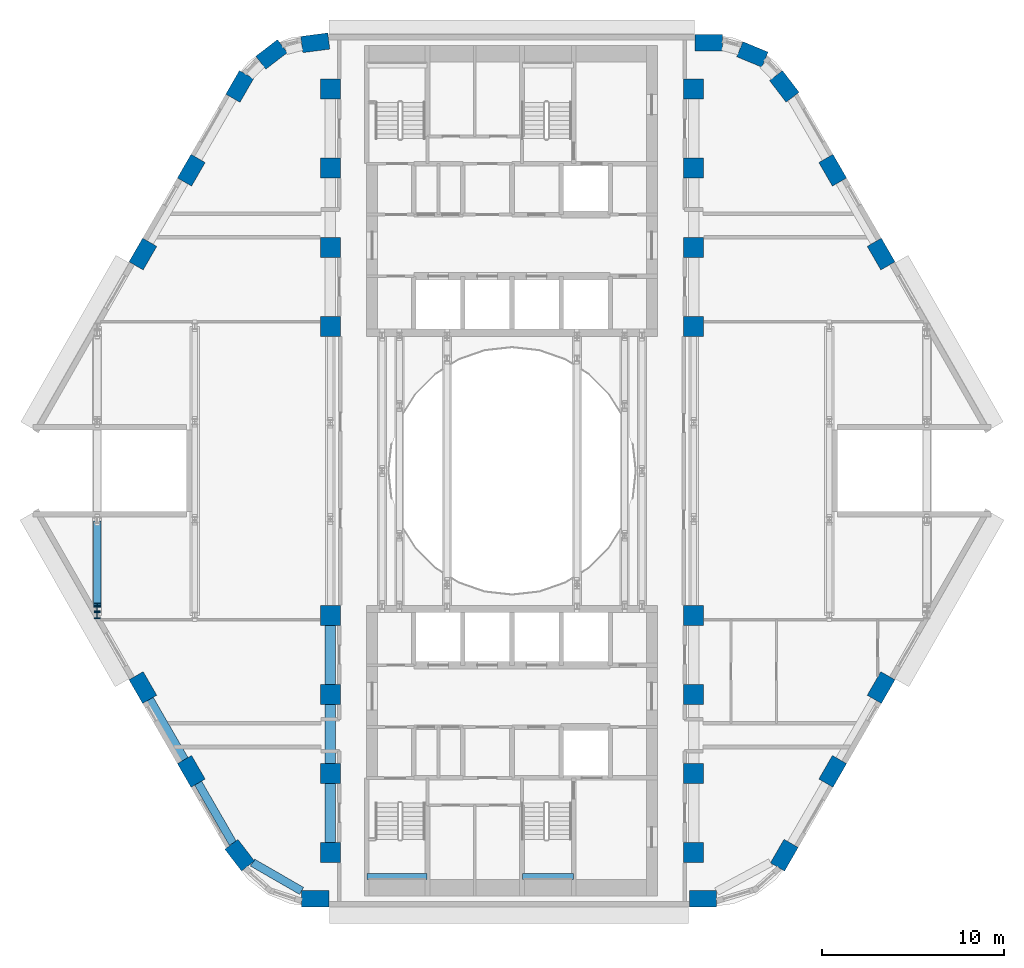
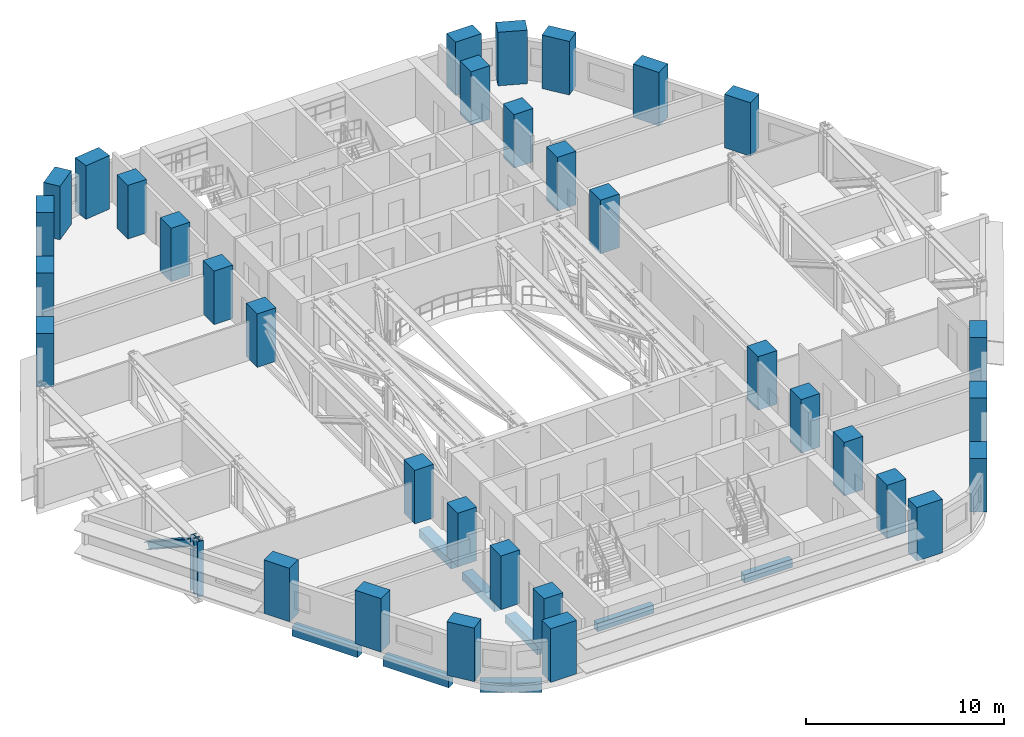
# One storey, part 1 of 18: 34 columns, 8 beams, 3 members.
"""IFC4 building model written with IfcOpenShell, lengths in metres."""

from ifc_helpers import new_model, si_unit, direction, frame, origin, origin_2d, place, context, subcontext, project, spatial, rectangle, i_section, extrude, material, material_profile, profile_set, type_object, element, save


model = new_model("IFC4")

# Units and contexts
model_context = context("Model", 3, precision=1e-05, world=origin(), true_north=direction((0.0, 1.0)))
body_context = subcontext(model_context, "Body", "Model", "MODEL_VIEW")
ifc_project = project(units=[si_unit("LENGTHUNIT", "METRE"), si_unit("AREAUNIT", "SQUARE_METRE"), si_unit("VOLUMEUNIT", "CUBIC_METRE"), si_unit("PLANEANGLEUNIT", "RADIAN"), si_unit("MASSUNIT", "GRAM", prefix="KILO")], contexts=[model_context])

# Site, building, storey
site_placement = place(None, origin())
site = spatial("IfcSite", under=ifc_project, at=site_placement, CompositionType="ELEMENT")
building_placement = place(site_placement, origin())
building = spatial("IfcBuilding", under=site, at=building_placement, Name="Nakaniwa Court", CompositionType="ELEMENT")
storey_placement = place(building_placement, frame((0.0, 0.0, 38.10009765625)))
storey = spatial("IfcBuildingStorey", under=building, at=storey_placement, Name="L09", CompositionType="ELEMENT", Elevation=38.10009765625)

# Columns
ifc_material_1 = material(Name="Concrete C100/115", Category="concrete")
ifc_material_profile_1 = material_profile(ifc_material_1, rectangle(XDim=1.10009765625, YDim=1.10009765625, at=origin_2d()), Name="Concrete C100/115 RC 1100x1100 spine column")
ifc_profile_set_1 = profile_set([ifc_material_profile_1], Name="Concrete C100/115")
column_type_1 = type_object("IfcColumnType", Name="Concrete C100/115 RC 1100x1100 spine column", PredefinedType="COLUMN", material=ifc_profile_set_1)
for number, where, z_axis, x_axis, name in (
    (1, (90.0, 59.0, 0.0), (0.0, 0.0, 1.0), (0.0, 1.0, 0.0), "COLUMN CS-01"),
    (2, (90.0, 63.35009765625, 0.0), (0.0, 0.0, 1.0), (0.0, 1.0, 0.0), "COLUMN CS-02"),
    (3, (90.0, 67.699951171875, 0.0), (0.0, 0.0, 1.0), (0.0, 1.0, 0.0), "COLUMN CS-03"),
    (4, (90.0, 72.050048828125, 0.0), (0.0, 0.0, 1.0), (0.0, 1.0, 0.0), "COLUMN CS-04"),
    (5, (90.0, 87.949951171875, 0.0), (0.0, 0.0, 1.0), (0.0, 1.0, 0.0), "COLUMN CS-07"),
    (6, (90.0, 92.300048828125, 0.0), (0.0, 0.0, 1.0), (0.0, 1.0, 0.0), "COLUMN CS-08"),
    (7, (90.0, 96.64990234375, 0.0), (0.0, 0.0, 1.0), (0.0, 1.0, 0.0), "COLUMN CS-09"),
    (8, (90.0, 101.0, 0.0), (0.0, 0.0, 1.0), (0.0, 1.0, 0.0), "COLUMN CS-10"),
    (9, (70.0, 101.0, 0.0), (0.0, 0.0, 1.0), (0.0, -1.0, 0.0), "COLUMN CS-11"),
    (10, (70.0, 96.64990234375, 0.0), (0.0, 0.0, 1.0), (0.0, -1.0, 0.0), "COLUMN CS-12"),
    (11, (70.0, 92.300048828125, 0.0), (0.0, 0.0, 1.0), (0.0, -1.0, 0.0), "COLUMN CS-13"),
    (12, (70.0, 87.949951171875, 0.0), (0.0, 0.0, 1.0), (0.0, -1.0, 0.0), "COLUMN CS-14"),
    (13, (70.0, 72.050048828125, 0.0), (0.0, 0.0, 1.0), (0.0, -1.0, 0.0), "COLUMN CS-17"),
    (14, (70.0, 67.699951171875, 0.0), (0.0, 0.0, 1.0), (0.0, -1.0, 0.0), "COLUMN CS-18"),
    (15, (70.0, 63.35009765625, 0.0), (0.0, 0.0, 1.0), (0.0, -1.0, 0.0), "COLUMN CS-19"),
    (16, (70.0, 59.0, 0.0), (0.0, 0.0, 1.0), (0.0, -1.0, 0.0), "COLUMN CS-20"),
):
    element("IfcColumn", number, at=place(storey_placement, frame(where, z_axis=z_axis, x_axis=x_axis)), inside=storey, type_object=column_type_1, Name=name, PredefinedType="COLUMN", context=body_context, shape_type="SweptSolid", body=[
        extrude(rectangle(XDim=1.10009765625, YDim=1.10009765625, at=origin_2d()), origin(), (0.0, 0.0, 1.0), 3.2998046875),
    ])
ifc_material_profile_2 = material_profile(ifc_material_1, rectangle(XDim=1.5, YDim=0.89990234375, at=origin_2d()), Name="Concrete C100/115 RC 1500x900 perimeter column")
ifc_profile_set_2 = profile_set([ifc_material_profile_2], Name="Concrete C100/115")
column_type_2 = type_object("IfcColumnType", Name="Concrete C100/115 RC 1500x900 perimeter column", PredefinedType="COLUMN", material=ifc_profile_set_2)
for number, where, z_axis, x_axis, name in (
    (17, (69.17529296875, 103.550048828125, 0.0), (0.0, 0.0, 1.0), (-0.991442583111, -0.130543496177, 0.0), "COLUMN CO-01"),
    (18, (66.772705078125, 102.91015625, 0.0), (0.0, 0.0, 1.0), (-0.793363965062, -0.608747582288, 0.0), "COLUMN CO-02"),
    (19, (65.017578125, 101.1494140625, 0.0), (0.0, 0.0, 1.0), (-0.5, -0.866025403784, 0.0), "COLUMN CO-03"),
    (20, (62.3544921875, 96.537109375, 0.0), (0.0, 0.0, 1.0), (-0.5, -0.866025403784, 0.0), "COLUMN CO-04"),
    (21, (59.691650390625, 91.9248046875, 0.0), (0.0, 0.0, 1.0), (-0.5, -0.866025403784, 0.0), "COLUMN CO-05"),
    (22, (59.691650390625, 68.0751953125, 0.0), (0.0, 0.0, 1.0), (0.5, -0.866025403784, 0.0), "COLUMN CO-14"),
    (23, (62.3544921875, 63.462890625, 0.0), (0.0, 0.0, 1.0), (0.5, -0.866025403784, 0.0), "COLUMN CO-15"),
    (24, (65.017578125, 58.8505859375, 0.0), (0.0, 0.0, 1.0), (0.608761429009, -0.793353340291, 0.0), "COLUMN CO-16"),
    (25, (69.17529296875, 56.449951171875, 0.0), (0.0, 0.0, 1.0), (1.0, 0.0, 0.0), "COLUMN CO-17"),
    (26, (90.507080078125, 56.449951171875, 0.0), (0.0, 0.0, 1.0), (1.0, 0.0, 0.0), "COLUMN CO-21"),
    (27, (94.982421875, 58.8505859375, 0.0), (0.0, 0.0, 1.0), (0.5, 0.866025403784, 0.0), "COLUMN CO-22"),
    (28, (97.6455078125, 63.462890625, 0.0), (0.0, 0.0, 1.0), (0.5, 0.866025403784, 0.0), "COLUMN CO-23"),
    (29, (100.308349609375, 68.0751953125, 0.0), (0.0, 0.0, 1.0), (0.5, 0.866025403784, 0.0), "COLUMN CO-24"),
    (30, (100.308349609375, 91.9248046875, 0.0), (0.0, 0.0, 1.0), (-0.5, 0.866025403784, 0.0), "COLUMN CO-33"),
    (31, (97.6455078125, 96.537109375, 0.0), (0.0, 0.0, 1.0), (-0.5, 0.866025403784, 0.0), "COLUMN CO-34"),
    (32, (94.982421875, 101.1494140625, 0.0), (0.0, 0.0, 1.0), (-0.608761429009, 0.793353340291, 0.0), "COLUMN CO-35"),
    (33, (93.227294921875, 102.91015625, 0.0), (0.0, 0.0, 1.0), (-0.923879532511, 0.382683432365, 0.0), "COLUMN CO-36"),
    (34, (90.82470703125, 103.550048828125, 0.0), (0.0, 0.0, 1.0), (-1.0, 0.0, 0.0), "COLUMN CO-37"),
):
    element("IfcColumn", number, at=place(storey_placement, frame(where, z_axis=z_axis, x_axis=x_axis)), inside=storey, type_object=column_type_2, Name=name, PredefinedType="COLUMN", context=body_context, shape_type="SweptSolid", body=[
        extrude(rectangle(XDim=1.5, YDim=0.89990234375, at=origin_2d()), origin(), (0.0, 0.0, 1.0), 3.2998046875),
    ])

# Beams
ifc_material_profile_3 = material_profile(ifc_material_1, rectangle(XDim=0.449951171875, YDim=0.60009765625, at=origin_2d()), Name="Concrete C100/115 RC 450x600 spandrel beam")
ifc_profile_set_3 = profile_set([ifc_material_profile_3], Name="Concrete C100/115")
beam_type_1 = type_object("IfcBeamType", Name="Concrete C100/115 RC 450x600 spandrel beam", PredefinedType="BEAM", material=ifc_profile_set_3)
beam_1_placement = place(storey_placement, frame((60.066650390625, 67.42578125, -0.7001953125), z_axis=(0.499961815444, -0.866047448526, 0.0), x_axis=(0.866047448526, 0.499961815444, 0.0)))
element("IfcBeam", 35, at=beam_1_placement, inside=storey, type_object=beam_type_1, Name="SPANDREL BEAM", PredefinedType="BEAM", context=body_context, shape_type="SweptSolid", body=[
    extrude(rectangle(XDim=0.449951171875, YDim=0.60009765625, at=origin_2d()), origin(), (0.0, 0.0, 1.0), 3.825927734375),
])
beam_2_placement = place(storey_placement, frame((62.7294921875, 62.8134765625, -0.7001953125), z_axis=(0.500023067617, -0.86601208528, 0.0), x_axis=(0.86601208528, 0.500023067617, 0.0)))
element("IfcBeam", 36, at=beam_2_placement, inside=storey, type_object=beam_type_1, Name="SPANDREL BEAM", PredefinedType="BEAM", context=body_context, shape_type="SweptSolid", body=[
    extrude(rectangle(XDim=0.449951171875, YDim=0.60009765625, at=origin_2d()), origin(), (0.0, 0.0, 1.0), 3.819580078125),
])
beam_3_placement = place(storey_placement, frame((65.720458984375, 58.444580078125, -0.7001953125), z_axis=(0.866041096587, -0.499972818284, 0.0), x_axis=(0.499972818284, 0.866041096587, 0.0)))
element("IfcBeam", 37, at=beam_3_placement, inside=storey, type_object=beam_type_1, Name="SPANDREL BEAM", PredefinedType="BEAM", context=body_context, shape_type="SweptSolid", body=[
    extrude(rectangle(XDim=0.449951171875, YDim=0.60009765625, at=origin_2d()), origin(), (0.0, 0.0, 1.0), 3.123291015625),
])
ifc_material_profile_4 = material_profile(ifc_material_1, rectangle(XDim=0.60009765625, YDim=0.5, at=origin_2d()), Name="Concrete C100/115 RC 600x500 ring beam")
ifc_profile_set_4 = profile_set([ifc_material_profile_4], Name="Concrete C100/115")
beam_type_2 = type_object("IfcBeamType", Name="Concrete C100/115 RC 600x500 ring beam", PredefinedType="BEAM", material=ifc_profile_set_4)
for number, where, z_axis, x_axis, name in (
    (38, (70.0, 71.5, -0.650146484375), (0.0, -1.0, 0.0), (1.0, 0.0, 0.0), "RING BEAM"),
    (39, (70.0, 67.14990234375, -0.650146484375), (0.0, -1.0, 0.0), (1.0, 0.0, 0.0), "RING BEAM"),
    (40, (70.0, 62.800048828125, -0.650146484375), (0.0, -1.0, 0.0), (1.0, 0.0, 0.0), "RING BEAM"),
):
    element("IfcBeam", number, at=place(storey_placement, frame(where, z_axis=z_axis, x_axis=x_axis)), inside=storey, type_object=beam_type_2, Name=name, PredefinedType="BEAM", context=body_context, shape_type="SweptSolid", body=[
        extrude(rectangle(XDim=0.60009765625, YDim=0.5, at=origin_2d()), origin(), (0.0, 0.0, 1.0), 3.25),
    ])
ifc_material_2 = material(Name="Concrete C80/100", Category="concrete")
ifc_material_profile_5 = material_profile(ifc_material_2, rectangle(XDim=0.35009765625, YDim=0.5, at=origin_2d()), Name="Concrete C80/100 RC 350x500 landing ledge beam")
ifc_profile_set_5 = profile_set([ifc_material_profile_5], Name="Concrete C80/100")
beam_type_3 = type_object("IfcBeamType", Name="Concrete C80/100 RC 350x500 landing ledge beam", PredefinedType="BEAM", material=ifc_profile_set_5)
beam_4_placement = place(storey_placement, frame((72.02490234375, 57.675048828125, 1.199951171875), z_axis=(1.0, 0.0, 0.0), x_axis=(0.0, 1.0, 0.0)))
element("IfcBeam", 41, at=beam_4_placement, inside=storey, type_object=beam_type_3, Name="LANDING LEDGE BEAM", PredefinedType="BEAM", context=body_context, shape_type="SweptSolid", body=[
    extrude(rectangle(XDim=0.35009765625, YDim=0.5, at=origin_2d()), origin(), (0.0, 0.0, 1.0), 3.300048828125),
])
beam_5_placement = place(storey_placement, frame((80.574951171875, 57.675048828125, 1.199951171875), z_axis=(1.0, 0.0, 0.0), x_axis=(0.0, 1.0, 0.0)))
element("IfcBeam", 42, at=beam_5_placement, inside=storey, type_object=beam_type_3, Name="LANDING LEDGE BEAM", PredefinedType="BEAM", context=body_context, shape_type="SweptSolid", body=[
    extrude(rectangle(XDim=0.35009765625, YDim=0.5, at=origin_2d()), origin(), (0.0, 0.0, 1.0), 2.800048828125),
])

# Members
ifc_material_3 = material(Name="Steel Grade 350", Category="steel")
ifc_material_profile_6 = material_profile(ifc_material_3, i_section(OverallWidth=0.39990234375, OverallDepth=0.429931640625, WebThickness=0.0400390625, FlangeThickness=0.0400390625, at=origin_2d()), Name="400WC361")
ifc_profile_set_6 = profile_set([ifc_material_profile_6], Name="Steel Grade 350")
member_type_1 = type_object("IfcMemberType", Name="TRANSFER diagonal 400 WC361", PredefinedType="BRACE", material=ifc_profile_set_6)
member_placement = place(storey_placement, frame((57.177001953125, 72.60791015625, 2.544921875), z_axis=(0.0, 0.837548419384, -0.546363107454), x_axis=(-1.0, 0.0, 0.0)))
element("IfcMember", 43, at=member_placement, inside=storey, type_object=member_type_1, Name="TRANSFER DIAGONAL TT-01-D2", PredefinedType="BRACE", context=body_context, shape_type="SweptSolid", body=[
    extrude(i_section(OverallWidth=0.39990234375, OverallDepth=0.429931640625, WebThickness=0.0400390625, FlangeThickness=0.0400390625, at=origin_2d()), origin(), (0.0, 0.0, 1.0), 5.390380859375),
])
ifc_material_profile_7 = material_profile(ifc_material_3, i_section(OverallWidth=0.35009765625, OverallDepth=0.35498046875, WebThickness=0.028076171875, FlangeThickness=0.0400390625, at=origin_2d()), Name="350WC280")
ifc_profile_set_7 = profile_set([ifc_material_profile_7], Name="Steel Grade 350")
member_type_2 = type_object("IfcMemberType", Name="TRANSFER post 350 WC280", PredefinedType="POST", material=ifc_profile_set_7)
for number, where, z_axis, x_axis, name in (
    (44, (57.177001953125, 72.050048828125, -0.400146484375), (0.0, 0.0, 1.0), (1.0, 0.0, 0.0), "TRANSFER POST TT-01-V1"),
    (45, (57.177001953125, 72.430419921875, -0.400146484375), (0.0, 0.0, 1.0), (1.0, 0.0, 0.0), "TRANSFER POST TT-01-V2"),
):
    element("IfcMember", number, at=place(storey_placement, frame(where, z_axis=z_axis, x_axis=x_axis)), inside=storey, type_object=member_type_2, Name=name, PredefinedType="POST", context=body_context, shape_type="SweptSolid", body=[
        extrude(i_section(OverallWidth=0.35009765625, OverallDepth=0.35498046875, WebThickness=0.028076171875, FlangeThickness=0.0400390625, at=origin_2d()), origin(), (0.0, 0.0, 1.0), 3.425048828125),
    ])

save(model, "model.ifc")
